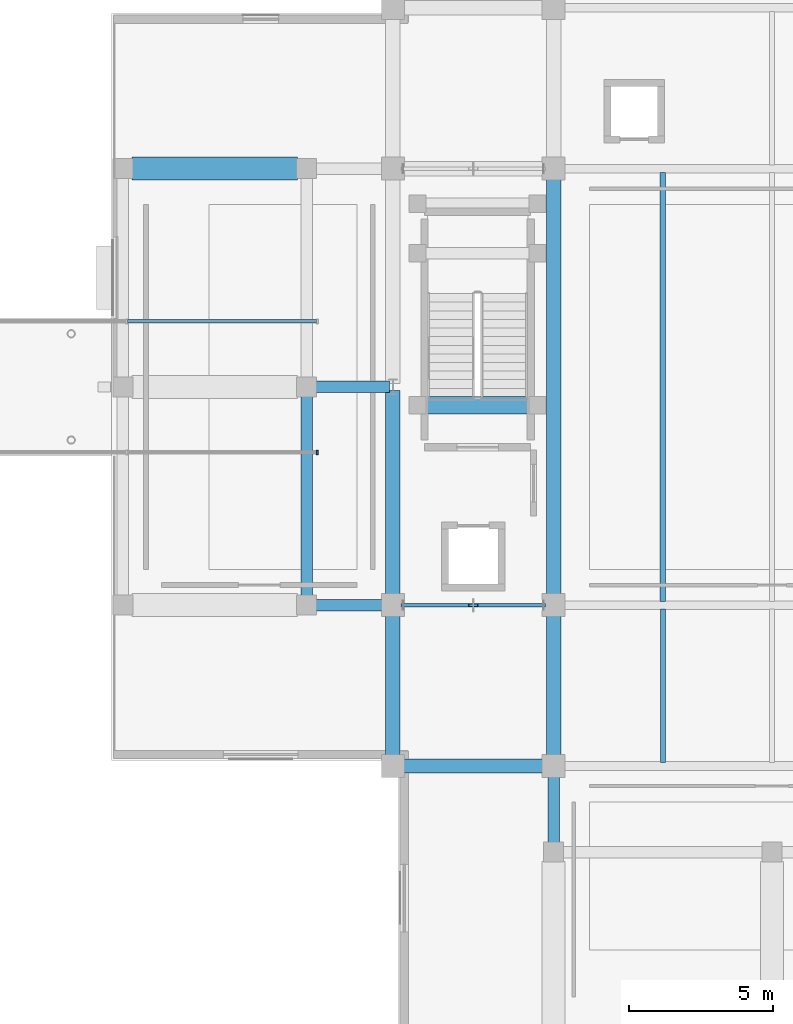
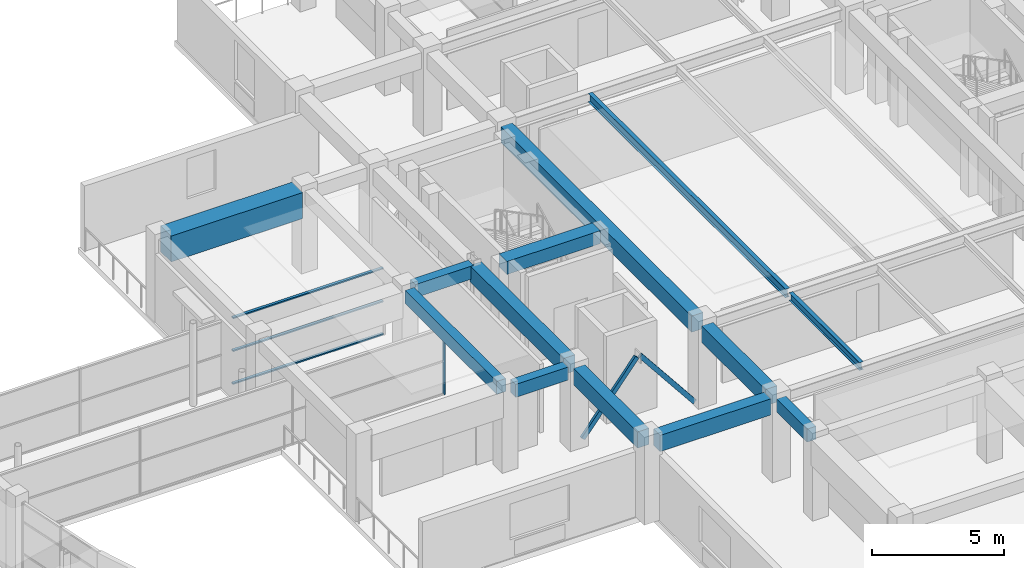
# One storey, part 20 of 70: 13 beams, 6 members, 2 elements without a shape of their own.
"""IFC4 building model written with IfcOpenShell, lengths in metres."""

from ifc_helpers import new_model, si_unit, direction, frame, origin, origin_2d, place, context, subcontext, project, spatial, rectangle, hollow_rectangle, i_section, extrude, material, material_profile, profile_set, type_object, element, aggregate, save


model = new_model("IFC4")

# Units and contexts
model_context = context("Model", 3, precision=1e-05, world=origin(), true_north=direction((0.0, 1.0)))
body_context = subcontext(model_context, "Body", "Model", "MODEL_VIEW")
ifc_project = project(units=[si_unit("LENGTHUNIT", "METRE"), si_unit("AREAUNIT", "SQUARE_METRE"), si_unit("VOLUMEUNIT", "CUBIC_METRE"), si_unit("PLANEANGLEUNIT", "RADIAN"), si_unit("MASSUNIT", "GRAM", prefix="KILO")], contexts=[model_context])

# Site, building, storey
site_placement = place(None, origin())
site = spatial("IfcSite", under=ifc_project, at=site_placement, CompositionType="ELEMENT")
building_placement = place(site_placement, origin())
building = spatial("IfcBuilding", under=site, at=building_placement, Name="Saryqyr Civic Hall", CompositionType="ELEMENT")
storey_placement = place(building_placement, frame((0.0, 0.0, 13.199951171875)))
storey = spatial("IfcBuildingStorey", under=building, at=storey_placement, Name="L03", CompositionType="ELEMENT", Elevation=13.199951171875)

# Curtain wall, member
ifc_material_1 = material(Name="Anodised aluminium and triple low-E glass", Category="aluminium")
curtain_wall_type = type_object("IfcCurtainWallType", Name="ENV-CW-STD-86", PredefinedType="NOTDEFINED", material=ifc_material_1)
curtain_wall_1_placement = place(storey_placement, origin())
curtain_wall_1 = element("IfcCurtainWall", 1, at=curtain_wall_1_placement, inside=storey, type_object=curtain_wall_type, Name="Curtain wall BR-CW-CW1-L03", PredefinedType="NOTDEFINED")
ifc_material_2 = material(Name="Anodised aluminium", Category="aluminium")
ifc_material_profile_1 = material_profile(ifc_material_2, rectangle(XDim=0.06005859375, YDim=0.159912109375, at=origin_2d()), Name="ALU MULLION 60x160")
ifc_profile_set_1 = profile_set([ifc_material_profile_1], Name="Anodised aluminium")
member_type_1 = type_object("IfcMemberType", Name="ENV-CW-MUL-180", PredefinedType="MULLION", material=ifc_profile_set_1)
member_1_placement = place(storey_placement, frame((41.169921875, 81.719970703125, 0.0), z_axis=(0.0, 0.0, 1.0), x_axis=(-1.0, 0.0, 0.0)))
member_1 = element("IfcMember", 2, at=member_1_placement, type_object=member_type_1, Name="CW-86 mullion 1", PredefinedType="MULLION", context=body_context, shape_type="SweptSolid", body=[
    extrude(rectangle(XDim=0.06005859375, YDim=0.159912109375, at=origin_2d()), origin(), (0.0, 0.0, 1.0), 3.10009765625),
])
aggregate(curtain_wall_1, [member_1])

# Curtain wall, members
curtain_wall_2_placement = place(storey_placement, origin())
curtain_wall_2 = element("IfcCurtainWall", 3, at=curtain_wall_2_placement, inside=storey, type_object=curtain_wall_type, Name="Curtain wall BR-CW-CW2-L03", PredefinedType="NOTDEFINED")
ifc_material_profile_2 = material_profile(ifc_material_2, rectangle(XDim=0.1201171875, YDim=0.06005859375, at=origin_2d()), Name="ALU TRANSOM 120x60")
ifc_profile_set_2 = profile_set([ifc_material_profile_2], Name="Anodised aluminium")
member_type_2 = type_object("IfcMemberType", Name="ENV-CW-TRN-150", PredefinedType="USERDEFINED", material=ifc_profile_set_2)
member_2_placement = place(storey_placement, frame((34.563232421875, 86.280029296875, 0.030029296875), z_axis=(1.0, 0.0, 0.0), x_axis=(0.0, 1.0, 0.0)))
member_2 = element("IfcMember", 4, at=member_2_placement, type_object=member_type_2, Name="CW-86 transom 3.1", ObjectType="TRANSOM", PredefinedType="USERDEFINED", context=body_context, shape_type="SweptSolid", body=[
    extrude(rectangle(XDim=0.1201171875, YDim=0.06005859375, at=origin_2d()), origin(), (0.0, 0.0, 1.0), 6.57666015625),
])
member_3_placement = place(storey_placement, frame((34.563232421875, 86.280029296875, 1.550048828125), z_axis=(1.0, 0.0, 0.0), x_axis=(0.0, 1.0, 0.0)))
member_3 = element("IfcMember", 5, at=member_3_placement, type_object=member_type_2, Name="CW-86 transom 3.2", ObjectType="TRANSOM", PredefinedType="USERDEFINED", context=body_context, shape_type="SweptSolid", body=[
    extrude(rectangle(XDim=0.1201171875, YDim=0.06005859375, at=origin_2d()), origin(), (0.0, 0.0, 1.0), 6.57666015625),
])
member_4_placement = place(storey_placement, frame((34.563232421875, 86.280029296875, 3.070068359375), z_axis=(1.0, 0.0, 0.0), x_axis=(0.0, 1.0, 0.0)))
member_4 = element("IfcMember", 6, at=member_4_placement, type_object=member_type_2, Name="CW-86 transom 3.3", ObjectType="TRANSOM", PredefinedType="USERDEFINED", context=body_context, shape_type="SweptSolid", body=[
    extrude(rectangle(XDim=0.1201171875, YDim=0.06005859375, at=origin_2d()), origin(), (0.0, 0.0, 1.0), 6.57666015625),
])
aggregate(curtain_wall_2, [member_2, member_3, member_4])

# Beams
ifc_material_3 = material(Name="Concrete C35/45", Category="concrete")
ifc_material_profile_3 = material_profile(ifc_material_3, rectangle(XDim=0.39990234375, YDim=0.60009765625, at=origin_2d()), Name="RC 400x600")
ifc_profile_set_3 = profile_set([ifc_material_profile_3], Name="Concrete C35/45")
beam_type_1 = type_object("IfcBeamType", Name="STR-BM-RC400x600", PredefinedType="BEAM", material=ifc_profile_set_3)
beam_1_placement = place(storey_placement, frame((41.125, 76.39990234375, 3.489990234375), z_axis=(1.0, 0.0, 0.0), x_axis=(0.0, 1.0, 0.0)))
element("IfcBeam", 7, at=beam_1_placement, inside=storey, type_object=beam_type_1, Name="Beam V1-TBM-09-L03", PredefinedType="BEAM", context=body_context, shape_type="SweptSolid", body=[
    extrude(rectangle(XDim=0.39990234375, YDim=0.60009765625, at=origin_2d()), origin(), (0.0, 0.0, 1.0), 2.300048828125),
])
beam_2_placement = place(storey_placement, frame((41.125, 84.0, 3.489990234375), z_axis=(1.0, 0.0, 0.0), x_axis=(0.0, 1.0, 0.0)))
element("IfcBeam", 8, at=beam_2_placement, inside=storey, type_object=beam_type_1, Name="Beam V1-TBM-10-L03", PredefinedType="BEAM", context=body_context, shape_type="SweptSolid", body=[
    extrude(rectangle(XDim=0.39990234375, YDim=0.60009765625, at=origin_2d()), origin(), (0.0, 0.0, 1.0), 2.550048828125),
])
beam_3_placement = place(storey_placement, frame((49.39990234375, 68.125, 3.489990234375), z_axis=(0.0, 1.0, 0.0), x_axis=(-1.0, 0.0, 0.0)))
element("IfcBeam", 9, at=beam_3_placement, inside=storey, type_object=beam_type_1, Name="Beam V1-TBM-15-L03", PredefinedType="BEAM", context=body_context, shape_type="SweptSolid", body=[
    extrude(rectangle(XDim=0.39990234375, YDim=0.60009765625, at=origin_2d()), origin(), (0.0, 0.0, 1.0), 2.300048828125),
])
beam_4_placement = place(storey_placement, frame((40.800048828125, 76.72509765625, 3.489990234375), z_axis=(0.0, 1.0, 0.0), x_axis=(-1.0, 0.0, 0.0)))
element("IfcBeam", 10, at=beam_4_placement, inside=storey, type_object=beam_type_1, Name="Beam V1-TBM-19-L03", PredefinedType="BEAM", context=body_context, shape_type="SweptSolid", body=[
    extrude(rectangle(XDim=0.39990234375, YDim=0.60009765625, at=origin_2d()), origin(), (0.0, 0.0, 1.0), 6.949951171875),
])
ifc_material_4 = material(Name="Concrete C40/50", Category="concrete")
ifc_material_profile_4 = material_profile(ifc_material_4, rectangle(XDim=0.5, YDim=0.75, at=origin_2d()), Name="RC 500x750")
ifc_profile_set_4 = profile_set([ifc_material_profile_4], Name="Concrete C40/50")
beam_type_2 = type_object("IfcBeamType", Name="STR-BM-RC500x750", PredefinedType="BEAM", material=ifc_profile_set_4)
for number, where, z_axis, x_axis, name in (
    (11, (44.175048828125, 70.800048828125, 3.4150390625), (1.0, 0.0, 0.0), (0.0, 1.0, 0.0), "Beam V1-WBM-W1-L03"),
    (12, (43.800048828125, 71.175048828125, 3.4150390625), (0.0, 1.0, 0.0), (-1.0, 0.0, 0.0), "Beam V1-BM-NS11-L03"),
):
    element("IfcBeam", number, at=place(storey_placement, frame(where, z_axis=z_axis, x_axis=x_axis)), inside=storey, type_object=beam_type_2, Name=name, PredefinedType="BEAM", context=body_context, shape_type="SweptSolid", body=[
        extrude(rectangle(XDim=0.5, YDim=0.75, at=origin_2d()), origin(), (0.0, 0.0, 1.0), 4.849853515625),
    ])
beam_5_placement = place(storey_placement, frame((43.800048828125, 76.77490234375, 3.4150390625), z_axis=(0.0, 1.0, 0.0), x_axis=(-1.0, 0.0, 0.0)))
element("IfcBeam", 13, at=beam_5_placement, inside=storey, type_object=beam_type_2, Name="Beam V1-BM-NS1A-L03", PredefinedType="BEAM", context=body_context, shape_type="SweptSolid", body=[
    extrude(rectangle(XDim=0.5, YDim=0.75, at=origin_2d()), origin(), (0.0, 0.0, 1.0), 7.10009765625),
])
beam_6_placement = place(storey_placement, frame((49.39990234375, 71.175048828125, 3.4150390625), z_axis=(0.0, 1.0, 0.0), x_axis=(-1.0, 0.0, 0.0)))
element("IfcBeam", 14, at=beam_6_placement, inside=storey, type_object=beam_type_2, Name="Beam V1-BM-NS21-L03", PredefinedType="BEAM", context=body_context, shape_type="SweptSolid", body=[
    extrude(rectangle(XDim=0.5, YDim=0.75, at=origin_2d()), origin(), (0.0, 0.0, 1.0), 4.849853515625),
])
beam_7_placement = place(storey_placement, frame((49.39990234375, 76.77490234375, 3.4150390625), z_axis=(0.0, 1.0, 0.0), x_axis=(-1.0, 0.0, 0.0)))
element("IfcBeam", 15, at=beam_7_placement, inside=storey, type_object=beam_type_2, Name="Beam V1-BM-NS22-L03", PredefinedType="BEAM", context=body_context, shape_type="SweptSolid", body=[
    extrude(rectangle(XDim=0.5, YDim=0.75, at=origin_2d()), origin(), (0.0, 0.0, 1.0), 14.4501953125),
])
ifc_material_profile_5 = material_profile(ifc_material_4, rectangle(XDim=0.60009765625, YDim=0.60009765625, at=origin_2d()), Name="RC 600x600")
ifc_profile_set_5 = profile_set([ifc_material_profile_5], Name="Concrete C40/50")
beam_type_3 = type_object("IfcBeamType", Name="STR-BM-RC600x600", PredefinedType="BEAM", material=ifc_profile_set_5)
beam_8_placement = place(storey_placement, frame((48.800048828125, 83.364990234375, 3.75), z_axis=(-1.0, 0.0, 0.0), x_axis=(0.0, -1.0, 0.0)))
element("IfcBeam", 16, at=beam_8_placement, inside=storey, type_object=beam_type_3, Name="Stair well trimmer beam ST-1-L04", PredefinedType="BEAM", context=body_context, shape_type="SweptSolid", body=[
    extrude(rectangle(XDim=0.60009765625, YDim=0.60009765625, at=origin_2d()), origin(), (0.0, 0.0, 1.0), 4.10009765625),
])

# Members
ifc_material_5 = material(Name="Steel S355", Category="steel")
ifc_material_profile_6 = material_profile(ifc_material_5, hollow_rectangle(XDim=0.1201171875, YDim=0.199951171875, WallThickness=0.010009765625, at=origin_2d()), Name="RHS 200x120x10")
ifc_profile_set_6 = profile_set([ifc_material_profile_6], Name="Steel S355")
member_type_3 = type_object("IfcMemberType", Name="STR-BR-RHS200", PredefinedType="BRACE", material=ifc_profile_set_6)
for number, where, z_axis, x_axis, name in (
    (17, (44.159912109375, 76.39990234375, 0.1201171875), (0.624718690137, 0.0, 0.78084989479), (0.0, 1.0, 0.0), "Seismic chevron brace 1A L03"),
    (18, (49.0400390625, 76.39990234375, 0.1201171875), (-0.624718690137, 0.0, 0.78084989479), (0.0, -1.0, 0.0), "Seismic chevron brace 1B L03"),
):
    element("IfcMember", number, at=place(storey_placement, frame(where, z_axis=z_axis, x_axis=x_axis)), inside=storey, type_object=member_type_3, Name=name, PredefinedType="BRACE", context=body_context, shape_type="SweptSolid", body=[
        extrude(hollow_rectangle(XDim=0.1201171875, YDim=0.199951171875, WallThickness=0.010009765625, at=origin_2d()), origin(), (0.0, 0.0, 1.0), 3.77783203125),
    ])

# Beams
ifc_material_profile_7 = material_profile(ifc_material_5, i_section(OverallWidth=0.169921875, OverallDepth=0.360107421875, WebThickness=0.008056640625, FlangeThickness=0.0126953125, at=origin_2d()), Name="IPE 360")
ifc_profile_set_7 = profile_set([ifc_material_profile_7], Name="Steel S355")
beam_type_4 = type_object("IfcBeamType", Name="STR-JST-IPE360", PredefinedType="JOIST", material=ifc_profile_set_7)
beam_9_placement = place(storey_placement, frame((53.199951171875, 70.929931640625, 3.610107421875), z_axis=(0.0, 1.0, 0.0), x_axis=(-1.0, 0.0, 0.0)))
element("IfcBeam", 19, at=beam_9_placement, inside=storey, type_object=beam_type_4, Name="Beam V1-JST-1-1-L03", PredefinedType="JOIST", context=body_context, shape_type="SweptSolid", body=[
    extrude(i_section(OverallWidth=0.169921875, OverallDepth=0.360107421875, WebThickness=0.008056640625, FlangeThickness=0.0126953125, at=origin_2d()), origin(), (0.0, 0.0, 1.0), 5.340087890625),
])
ifc_material_profile_8 = material_profile(ifc_material_5, i_section(OverallWidth=0.179931640625, OverallDepth=0.39990234375, WebThickness=0.008544921875, FlangeThickness=0.013427734375, at=origin_2d()), Name="IPE 400")
ifc_profile_set_8 = profile_set([ifc_material_profile_8], Name="Steel S355")
beam_type_5 = type_object("IfcBeamType", Name="STR-JST-IPE400", PredefinedType="JOIST", material=ifc_profile_set_8)
beam_10_placement = place(storey_placement, frame((53.199951171875, 76.530029296875, 3.590087890625), z_axis=(0.0, 1.0, 0.0), x_axis=(-1.0, 0.0, 0.0)))
element("IfcBeam", 20, at=beam_10_placement, inside=storey, type_object=beam_type_5, Name="Beam V1-JST-1-2-L03", PredefinedType="JOIST", context=body_context, shape_type="SweptSolid", body=[
    extrude(i_section(OverallWidth=0.179931640625, OverallDepth=0.39990234375, WebThickness=0.008544921875, FlangeThickness=0.013427734375, at=origin_2d()), origin(), (0.0, 0.0, 1.0), 14.93994140625),
])
ifc_material_profile_9 = material_profile(ifc_material_4, rectangle(XDim=0.800048828125, YDim=1.199951171875, at=origin_2d()), Name="RC 800x1200")
ifc_profile_set_9 = profile_set([ifc_material_profile_9], Name="Concrete C40/50")
beam_type_6 = type_object("IfcBeamType", Name="STR-TG-RC800x1200", PredefinedType="USERDEFINED", material=ifc_profile_set_9)
beam_11_placement = place(storey_placement, frame((34.72509765625, 91.60009765625, 3.18994140625), z_axis=(1.0, 0.0, 0.0), x_axis=(0.0, 1.0, 0.0)))
element("IfcBeam", 21, at=beam_11_placement, inside=storey, type_object=beam_type_6, Name="Beam V1-TG-W3-L03", ObjectType="TRANSFER_GIRDER", PredefinedType="USERDEFINED", context=body_context, shape_type="SweptSolid", body=[
    extrude(rectangle(XDim=0.800048828125, YDim=1.199951171875, at=origin_2d()), origin(), (0.0, 0.0, 1.0), 5.75),
])

save(model, "model.ifc")
